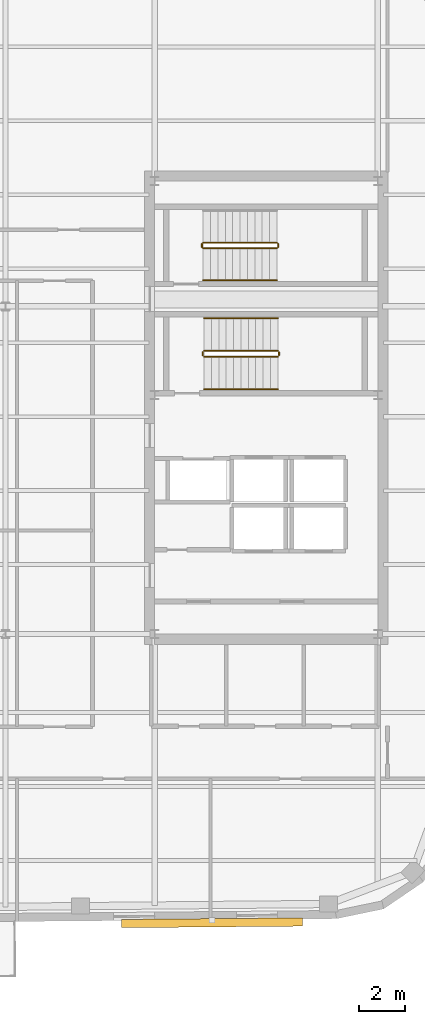
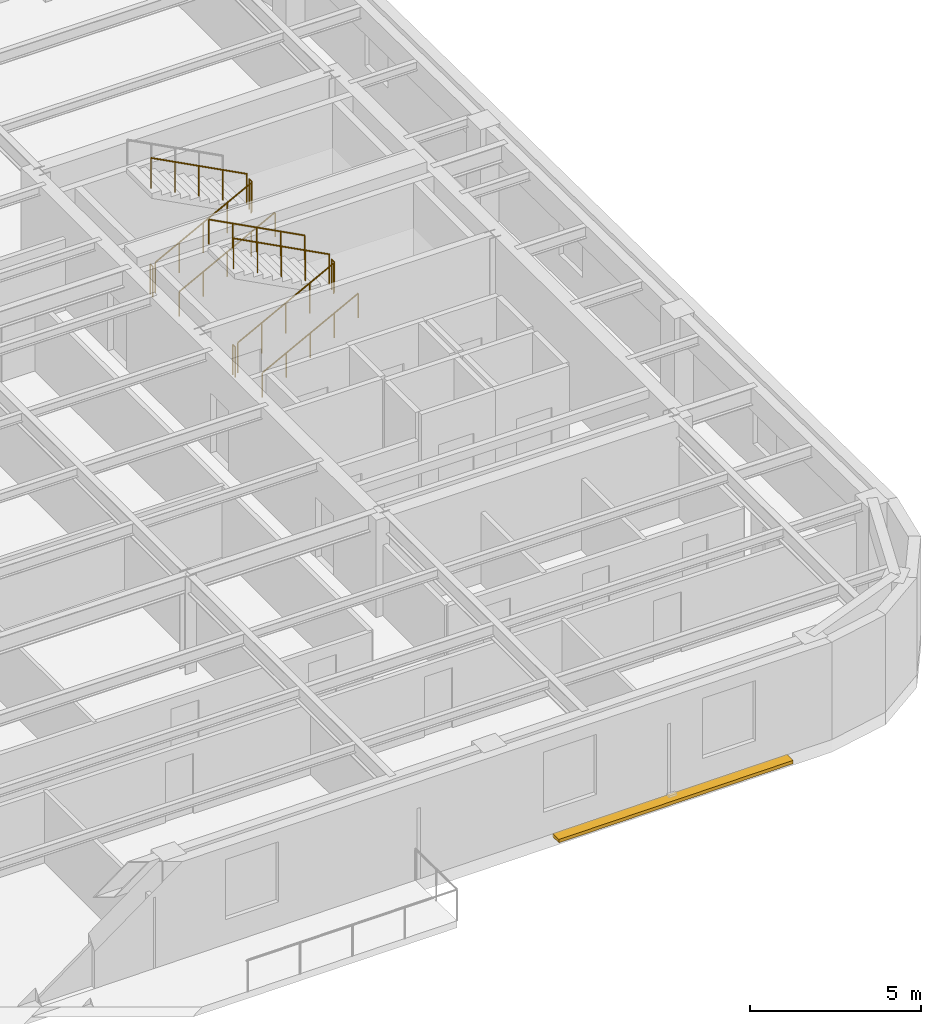
# One storey, part 13 of 14: 11 railings, 1 shading device.
"""IFC4 building model written with IfcOpenShell, lengths in metres."""

from ifc_helpers import new_model, si_unit, direction, frame, origin, origin_2d, place, context, subcontext, project, spatial, rectangle, circle, extrude, material, type_object, element, save


model = new_model("IFC4")

# Units and contexts
model_context = context("Model", 3, precision=1e-05, world=origin(), true_north=direction((0.0, 1.0)))
body_context = subcontext(model_context, "Body", "Model", "MODEL_VIEW")
ifc_project = project(units=[si_unit("LENGTHUNIT", "METRE"), si_unit("AREAUNIT", "SQUARE_METRE"), si_unit("VOLUMEUNIT", "CUBIC_METRE"), si_unit("PLANEANGLEUNIT", "RADIAN"), si_unit("MASSUNIT", "GRAM", prefix="KILO")], contexts=[model_context])

# Site, building, storey
site_placement = place(None, origin())
site = spatial("IfcSite", under=ifc_project, at=site_placement, CompositionType="ELEMENT")
building_placement = place(site_placement, origin())
building = spatial("IfcBuilding", under=site, at=building_placement, Name="Kolvaren Arena Tower", CompositionType="ELEMENT")
storey_placement = place(building_placement, frame((0.0, 0.0, 274.89990234375)))
storey = spatial("IfcBuildingStorey", under=building, at=storey_placement, Name="L67", CompositionType="ELEMENT", Elevation=274.89990234375)

# Railings
ifc_material_1 = material(Name="Painted galvanized steel", Category="steel")
railing_type_1 = type_object("IfcRailingType", Name="GUARD-ST-110", PredefinedType="GUARDRAIL", material=ifc_material_1)
railing_1_placement = place(storey_placement, frame((52.719970703125, 31.639892578125, 0.170654296875)))
element("IfcRailing", 1, at=railing_1_placement, inside=storey, type_object=railing_type_1, Name="L67 ST-E1 stair guard 1", PredefinedType="GUARDRAIL", context=body_context, shape_type="SweptSolid", body=[
    extrude(circle(Radius=0.02392578125, at=origin_2d()), frame((0.0, 0.0, 1.076171875), z_axis=(0.885020909582, 0.0, 0.465551274945), x_axis=(0.0, 1.0, 0.0)), (0.0, 0.0, 1.0), 3.660888671875),
    extrude(circle(Radius=0.02099609375, at=origin_2d()), origin(), (0.0, 0.0, 1.0), 1.052001953125),
    extrude(circle(Radius=0.02099609375, at=origin_2d()), frame((0.81005859375, 0.0, 0.426025390625)), (0.0, 0.0, 1.0), 1.052001953125),
    extrude(circle(Radius=0.02099609375, at=origin_2d()), frame((1.6201171875, 0.0, 0.85205078125)), (0.0, 0.0, 1.0), 1.052001953125),
    extrude(circle(Radius=0.02099609375, at=origin_2d()), frame((2.429931640625, 0.0, 1.2783203125)), (0.0, 0.0, 1.0), 1.052001953125),
    extrude(circle(Radius=0.02099609375, at=origin_2d()), frame((3.239990234375, 0.0, 1.704345703125)), (0.0, 0.0, 1.0), 1.052001953125),
])
railing_2_placement = place(storey_placement, frame((56.010009765625, 31.68994140625, 1.875)))
element("IfcRailing", 2, at=railing_2_placement, inside=storey, type_object=railing_type_1, Name="L67 ST-E1 stair guard 2", PredefinedType="GUARDRAIL", context=body_context, shape_type="SweptSolid", body=[
    extrude(circle(Radius=0.02392578125, at=origin_2d()), frame((0.0, 0.0, 1.076171875), z_axis=(0.0, 1.0, 0.0), x_axis=(-1.0, 0.0, 0.0)), (0.0, 0.0, 1.0), 0.150146484375),
    extrude(circle(Radius=0.02099609375, at=origin_2d()), origin(), (0.0, 0.0, 1.0), 1.052001953125),
    extrude(circle(Radius=0.02099609375, at=origin_2d()), frame((0.0, 0.150146484375, 0.0)), (0.0, 0.0, 1.0), 1.052001953125),
])
railing_3_placement = place(storey_placement, frame((55.9599609375, 31.889892578125, 2.045654296875)))
element("IfcRailing", 3, at=railing_3_placement, inside=storey, type_object=railing_type_1, Name="L67 ST-E1 stair guard 3", PredefinedType="GUARDRAIL", context=body_context, shape_type="SweptSolid", body=[
    extrude(circle(Radius=0.02392578125, at=origin_2d()), frame((0.0, 0.0, 1.076171875), z_axis=(-0.885020909582, 0.0, 0.465551274945), x_axis=(0.0, -1.0, 0.0)), (0.0, 0.0, 1.0), 3.660888671875),
    extrude(circle(Radius=0.02099609375, at=origin_2d()), origin(), (0.0, 0.0, 1.0), 1.052001953125),
    extrude(circle(Radius=0.02099609375, at=origin_2d()), frame((-0.81005859375, 0.0, 0.426025390625)), (0.0, 0.0, 1.0), 1.052001953125),
    extrude(circle(Radius=0.02099609375, at=origin_2d()), frame((-1.6201171875, 0.0, 0.85205078125)), (0.0, 0.0, 1.0), 1.052001953125),
    extrude(circle(Radius=0.02099609375, at=origin_2d()), frame((-2.429931640625, 0.0, 1.2783203125)), (0.0, 0.0, 1.0), 1.052001953125),
    extrude(circle(Radius=0.02099609375, at=origin_2d()), frame((-3.239990234375, 0.0, 1.704345703125)), (0.0, 0.0, 1.0), 1.052001953125),
])
railing_4_placement = place(storey_placement, frame((52.669921875, 31.68994140625, 0.0)))
element("IfcRailing", 4, at=railing_4_placement, inside=storey, type_object=railing_type_1, Name="L67 ST-E1 stair guard 4", PredefinedType="GUARDRAIL", context=body_context, shape_type="SweptSolid", body=[
    extrude(circle(Radius=0.02392578125, at=origin_2d()), frame((0.0, 0.0, 1.076171875), z_axis=(0.0, 1.0, 0.0), x_axis=(-1.0, 0.0, 0.0)), (0.0, 0.0, 1.0), 0.150146484375),
    extrude(circle(Radius=0.02099609375, at=origin_2d()), origin(), (0.0, 0.0, 1.0), 1.052001953125),
    extrude(circle(Radius=0.02099609375, at=origin_2d()), frame((0.0, 0.150146484375, 0.0)), (0.0, 0.0, 1.0), 1.052001953125),
])
railing_5_placement = place(storey_placement, frame((52.679931640625, 36.39990234375, 0.170654296875)))
element("IfcRailing", 5, at=railing_5_placement, inside=storey, type_object=railing_type_1, Name="L67 ST-E2 stair guard 1", PredefinedType="GUARDRAIL", context=body_context, shape_type="SweptSolid", body=[
    extrude(circle(Radius=0.02392578125, at=origin_2d()), frame((0.0, 0.0, 1.076171875), z_axis=(0.885020909582, 0.0, 0.465551274945), x_axis=(0.0, 1.0, 0.0)), (0.0, 0.0, 1.0), 3.660888671875),
    extrude(circle(Radius=0.02099609375, at=origin_2d()), origin(), (0.0, 0.0, 1.0), 1.052001953125),
    extrude(circle(Radius=0.02099609375, at=origin_2d()), frame((0.81005859375, 0.0, 0.426025390625)), (0.0, 0.0, 1.0), 1.052001953125),
    extrude(circle(Radius=0.02099609375, at=origin_2d()), frame((1.6201171875, 0.0, 0.85205078125)), (0.0, 0.0, 1.0), 1.052001953125),
    extrude(circle(Radius=0.02099609375, at=origin_2d()), frame((2.429931640625, 0.0, 1.2783203125)), (0.0, 0.0, 1.0), 1.052001953125),
    extrude(circle(Radius=0.02099609375, at=origin_2d()), frame((3.239990234375, 0.0, 1.704345703125)), (0.0, 0.0, 1.0), 1.052001953125),
])
railing_6_placement = place(storey_placement, frame((55.969970703125, 36.449951171875, 1.875)))
element("IfcRailing", 6, at=railing_6_placement, inside=storey, type_object=railing_type_1, Name="L67 ST-E2 stair guard 2", PredefinedType="GUARDRAIL", context=body_context, shape_type="SweptSolid", body=[
    extrude(circle(Radius=0.02392578125, at=origin_2d()), frame((0.0, 0.0, 1.076171875), z_axis=(0.0, 1.0, 0.0), x_axis=(-1.0, 0.0, 0.0)), (0.0, 0.0, 1.0), 0.150146484375),
    extrude(circle(Radius=0.02099609375, at=origin_2d()), origin(), (0.0, 0.0, 1.0), 1.052001953125),
    extrude(circle(Radius=0.02099609375, at=origin_2d()), frame((0.0, 0.150146484375, 0.0)), (0.0, 0.0, 1.0), 1.052001953125),
])
railing_7_placement = place(storey_placement, frame((55.919921875, 36.64990234375, 2.045654296875)))
element("IfcRailing", 7, at=railing_7_placement, inside=storey, type_object=railing_type_1, Name="L67 ST-E2 stair guard 3", PredefinedType="GUARDRAIL", context=body_context, shape_type="SweptSolid", body=[
    extrude(circle(Radius=0.02392578125, at=origin_2d()), frame((0.0, 0.0, 1.076171875), z_axis=(-0.885020909582, 0.0, 0.465551274945), x_axis=(0.0, -1.0, 0.0)), (0.0, 0.0, 1.0), 3.660888671875),
    extrude(circle(Radius=0.02099609375, at=origin_2d()), origin(), (0.0, 0.0, 1.0), 1.052001953125),
    extrude(circle(Radius=0.02099609375, at=origin_2d()), frame((-0.81005859375, 0.0, 0.426025390625)), (0.0, 0.0, 1.0), 1.052001953125),
    extrude(circle(Radius=0.02099609375, at=origin_2d()), frame((-1.6201171875, 0.0, 0.85205078125)), (0.0, 0.0, 1.0), 1.052001953125),
    extrude(circle(Radius=0.02099609375, at=origin_2d()), frame((-2.429931640625, 0.0, 1.2783203125)), (0.0, 0.0, 1.0), 1.052001953125),
    extrude(circle(Radius=0.02099609375, at=origin_2d()), frame((-3.239990234375, 0.0, 1.704345703125)), (0.0, 0.0, 1.0), 1.052001953125),
])
railing_8_placement = place(storey_placement, frame((52.6298828125, 36.449951171875, 0.0)))
element("IfcRailing", 8, at=railing_8_placement, inside=storey, type_object=railing_type_1, Name="L67 ST-E2 stair guard 4", PredefinedType="GUARDRAIL", context=body_context, shape_type="SweptSolid", body=[
    extrude(circle(Radius=0.02392578125, at=origin_2d()), frame((0.0, 0.0, 1.076171875), z_axis=(0.0, 1.0, 0.0), x_axis=(-1.0, 0.0, 0.0)), (0.0, 0.0, 1.0), 0.150146484375),
    extrude(circle(Radius=0.02099609375, at=origin_2d()), origin(), (0.0, 0.0, 1.0), 1.052001953125),
    extrude(circle(Radius=0.02099609375, at=origin_2d()), frame((0.0, 0.150146484375, 0.0)), (0.0, 0.0, 1.0), 1.052001953125),
])
ifc_material_2 = material(Name="Brushed stainless steel handrail", Category="steel")
railing_type_2 = type_object("IfcRailingType", Name="HRAIL-900", PredefinedType="HANDRAIL", material=ifc_material_2)
railing_9_placement = place(storey_placement, frame((52.719970703125, 30.199951171875, 0.170654296875)))
element("IfcRailing", 9, at=railing_9_placement, inside=storey, type_object=railing_type_2, Name="L67 ST-E1 stair handrail 1", PredefinedType="HANDRAIL", context=body_context, shape_type="SweptSolid", body=[
    extrude(circle(Radius=0.02392578125, at=origin_2d()), frame((0.0, 0.0, 0.8759765625), z_axis=(0.885020909582, 0.0, 0.465551274945), x_axis=(0.0, 1.0, 0.0)), (0.0, 0.0, 1.0), 3.660888671875),
    extrude(circle(Radius=0.02099609375, at=origin_2d()), origin(), (0.0, 0.0, 1.0), 0.851806640625),
    extrude(circle(Radius=0.02099609375, at=origin_2d()), frame((0.81005859375, 0.0, 0.426025390625)), (0.0, 0.0, 1.0), 0.851806640625),
    extrude(circle(Radius=0.02099609375, at=origin_2d()), frame((1.6201171875, 0.0, 0.85205078125)), (0.0, 0.0, 1.0), 0.851806640625),
    extrude(circle(Radius=0.02099609375, at=origin_2d()), frame((2.429931640625, 0.0, 1.2783203125)), (0.0, 0.0, 1.0), 0.851806640625),
    extrude(circle(Radius=0.02099609375, at=origin_2d()), frame((3.239990234375, 0.0, 1.704345703125)), (0.0, 0.0, 1.0), 0.851806640625),
])
railing_10_placement = place(storey_placement, frame((55.9599609375, 33.330078125, 2.045654296875)))
element("IfcRailing", 10, at=railing_10_placement, inside=storey, type_object=railing_type_2, Name="L67 ST-E1 stair handrail 2", PredefinedType="HANDRAIL", context=body_context, shape_type="SweptSolid", body=[
    extrude(circle(Radius=0.02392578125, at=origin_2d()), frame((0.0, 0.0, 0.8759765625), z_axis=(-0.885020909582, 0.0, 0.465551274945), x_axis=(0.0, -1.0, 0.0)), (0.0, 0.0, 1.0), 3.660888671875),
    extrude(circle(Radius=0.02099609375, at=origin_2d()), origin(), (0.0, 0.0, 1.0), 0.851806640625),
    extrude(circle(Radius=0.02099609375, at=origin_2d()), frame((-0.81005859375, 0.0, 0.426025390625)), (0.0, 0.0, 1.0), 0.851806640625),
    extrude(circle(Radius=0.02099609375, at=origin_2d()), frame((-1.6201171875, 0.0, 0.85205078125)), (0.0, 0.0, 1.0), 0.851806640625),
    extrude(circle(Radius=0.02099609375, at=origin_2d()), frame((-2.429931640625, 0.0, 1.2783203125)), (0.0, 0.0, 1.0), 0.851806640625),
    extrude(circle(Radius=0.02099609375, at=origin_2d()), frame((-3.239990234375, 0.0, 1.704345703125)), (0.0, 0.0, 1.0), 0.851806640625),
])
railing_11_placement = place(storey_placement, frame((52.679931640625, 35.0, 0.170654296875)))
element("IfcRailing", 11, at=railing_11_placement, inside=storey, type_object=railing_type_2, Name="L67 ST-E2 stair handrail 1", PredefinedType="HANDRAIL", context=body_context, shape_type="SweptSolid", body=[
    extrude(circle(Radius=0.02392578125, at=origin_2d()), frame((0.0, 0.0, 0.8759765625), z_axis=(0.885020909582, 0.0, 0.465551274945), x_axis=(0.0, 1.0, 0.0)), (0.0, 0.0, 1.0), 3.660888671875),
    extrude(circle(Radius=0.02099609375, at=origin_2d()), origin(), (0.0, 0.0, 1.0), 0.851806640625),
    extrude(circle(Radius=0.02099609375, at=origin_2d()), frame((0.81005859375, 0.0, 0.426025390625)), (0.0, 0.0, 1.0), 0.851806640625),
    extrude(circle(Radius=0.02099609375, at=origin_2d()), frame((1.6201171875, 0.0, 0.85205078125)), (0.0, 0.0, 1.0), 0.851806640625),
    extrude(circle(Radius=0.02099609375, at=origin_2d()), frame((2.429931640625, 0.0, 1.2783203125)), (0.0, 0.0, 1.0), 0.851806640625),
    extrude(circle(Radius=0.02099609375, at=origin_2d()), frame((3.239990234375, 0.0, 1.704345703125)), (0.0, 0.0, 1.0), 0.851806640625),
])

# Shading device
ifc_material_3 = material(Name="Architectural precast GFRC and anodised aluminium sunshade", Category="concrete")
shading_device_type = type_object("IfcShadingDeviceType", Name="SHAD-SINE-A", PredefinedType="USERDEFINED", material=ifc_material_3)
shading_device_placement = place(storey_placement, frame((53.0673828125, 6.763916015625, -0.139892578125), z_axis=(0.0, 0.0, 1.0), x_axis=(-0.999961923064, -0.008726535498, 0.0)))
element("IfcShadingDevice", 12, at=shading_device_placement, inside=storey, type_object=shading_device_type, Name="Sinusoidal Slab-Edge Sunshade Louvre (L67)", ObjectType="LOUVRE", PredefinedType="USERDEFINED", context=body_context, shape_type="SweptSolid", body=[
    extrude(rectangle(XDim=7.9599609375, YDim=0.364990234375, at=origin_2d()), origin(), (0.0, 0.0, 1.0), 0.1201171875),
])

save(model, "model.ifc")
